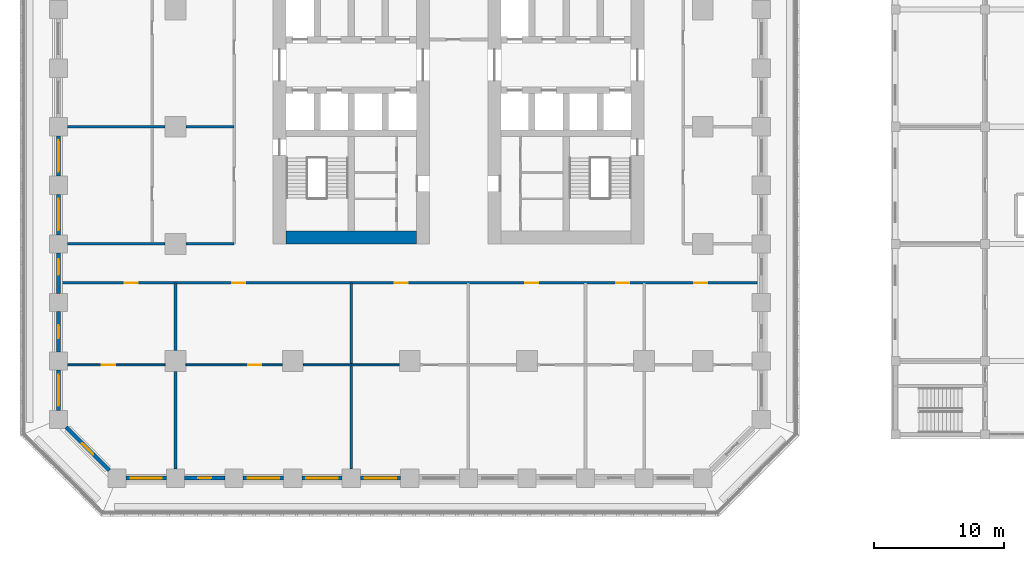
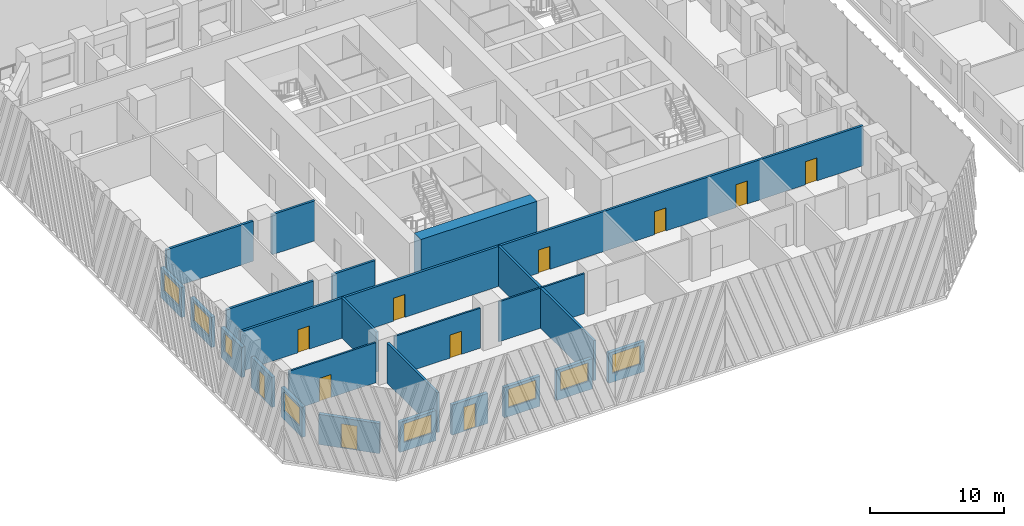
# One storey, part 11 of 31: 23 walls, 11 doors, 8 windows, 19 openings.
"""IFC4 building model written with IfcOpenShell, lengths in metres."""

from ifc_helpers import new_model, si_unit, direction, frame, frame_2d, origin, place, context, subcontext, project, spatial, rectangle, extrude, material, layer, layer_set, type_object, element, fill, save


model = new_model("IFC4")

# Units and contexts
model_context = context("Model", 3, precision=1e-05, world=origin(), true_north=direction((0.0, 1.0)))
body_context = subcontext(model_context, "Body", "Model", "MODEL_VIEW")
ifc_project = project(units=[si_unit("LENGTHUNIT", "METRE"), si_unit("AREAUNIT", "SQUARE_METRE"), si_unit("VOLUMEUNIT", "CUBIC_METRE"), si_unit("PLANEANGLEUNIT", "RADIAN"), si_unit("MASSUNIT", "GRAM", prefix="KILO")], contexts=[model_context])

# Site, building, storey
site_placement = place(None, origin())
site = spatial("IfcSite", under=ifc_project, at=site_placement, CompositionType="ELEMENT")
building_placement = place(site_placement, origin())
building = spatial("IfcBuilding", under=site, at=building_placement, Name="Corbel Stack Research Tower", CompositionType="ELEMENT")
storey_placement = place(building_placement, frame((0.0, 0.0, 15.39990234375)))
storey = spatial("IfcBuildingStorey", under=building, at=storey_placement, Name="L03", CompositionType="ELEMENT", Elevation=15.39990234375)

# Walls
ifc_material_1 = material(Name="Concrete C70/85", Category="concrete")
ifc_layer_1 = layer(ifc_material_1, 1.0)
ifc_layer_set_1 = layer_set([ifc_layer_1], Name="Concrete C70/85")
wall_type_1 = type_object("IfcWallType", Name="CW-1000-70", PredefinedType="SHEAR", material=ifc_layer_set_1)
wall_1_placement = place(storey_placement, frame((-9.5, -8.5, 0.0), z_axis=(0.0, 0.0, 1.0), x_axis=(1.0, 0.0, 0.0)))
element("IfcWall", 1, at=wall_1_placement, inside=storey, type_object=wall_type_1, Name="West core wall, south end L03", PredefinedType="SHEAR", context=body_context, shape_type="SweptSolid", body=[
    extrude(rectangle(XDim=10.0, YDim=1.0, at=frame_2d((5.0, 0.0))), origin(), (0.0, 0.0, 1.0), 4.10009765625),
])
ifc_material_2 = material(Name="Fire-rated gypsum board partition on steel studs", Category="steel")
ifc_layer_2 = layer(ifc_material_2, 0.199951171875)
ifc_layer_set_2 = layer_set([ifc_layer_2], Name="Fire-rated gypsum board partition on steel studs")
wall_type_2 = type_object("IfcWallType", Name="Fire-rated partition 200 EI 60", PredefinedType="PARTITIONING", material=ifc_layer_set_2)
wall_2_placement = place(storey_placement, frame((-18.0, -26.300048828125, 0.0), z_axis=(0.0, 0.0, 1.0), x_axis=(0.0, 1.0, 0.0)))
element("IfcWall", 2, at=wall_2_placement, inside=storey, type_object=wall_type_2, Name="Partition L03-002", PredefinedType="PARTITIONING", context=body_context, shape_type="SweptSolid", body=[
    extrude(rectangle(XDim=7.5, YDim=0.199951171875, at=frame_2d((3.75, 0.0))), origin(), (0.0, 0.0, 1.0), 3.650146484375),
])
wall_3_placement = place(storey_placement, frame((-18.0, -17.199951171875, 0.0), z_axis=(0.0, 0.0, 1.0), x_axis=(0.0, 1.0, 0.0)))
element("IfcWall", 3, at=wall_3_placement, inside=storey, type_object=wall_type_2, Name="Partition L03-003", PredefinedType="PARTITIONING", context=body_context, shape_type="SweptSolid", body=[
    extrude(rectangle(XDim=5.199951171875, YDim=0.199951171875, at=frame_2d((2.60009765625, 0.0))), origin(), (0.0, 0.0, 1.0), 3.650146484375),
])
wall_4_placement = place(storey_placement, frame((-4.5, -26.300048828125, 0.0), z_axis=(0.0, 0.0, 1.0), x_axis=(0.0, 1.0, 0.0)))
element("IfcWall", 4, at=wall_4_placement, inside=storey, type_object=wall_type_2, Name="Partition L03-006", PredefinedType="PARTITIONING", context=body_context, shape_type="SweptSolid", body=[
    extrude(rectangle(XDim=14.300048828125, YDim=0.199951171875, at=frame_2d((7.14990234375, 0.0))), origin(), (0.0, 0.0, 1.0), 3.650146484375),
])

# Wall, openings, doors
wall_5_placement = place(storey_placement, frame((26.85009765625, -12.0, 0.0), z_axis=(0.0, 0.0, 1.0), x_axis=(-1.0, 0.0, 0.0)))
wall_5 = element("IfcWall", 5, at=wall_5_placement, inside=storey, type_object=wall_type_2, Name="Partition L03-023", PredefinedType="PARTITIONING", context=body_context, shape_type="SweptSolid", body=[
    extrude(rectangle(XDim=53.7001953125, YDim=0.199951171875, at=frame_2d((26.85009765625, 0.0))), origin(), (0.0, 0.0, 1.0), 3.650146484375),
])
opening_1_placement = place(wall_5_placement, frame((47.75, 0.0, 0.0)))
opening_1 = element("IfcOpeningElement", 6, at=opening_1_placement, cuts=wall_5, Name="Opening B1V0-012", PredefinedType="OPENING", context=body_context, shape_type="SweptSolid", body=[
    extrude(rectangle(XDim=1.0, YDim=2.10009765625, at=frame_2d((0.5, 1.050048828125))), frame((0.0, 0.10986328125, 0.0), z_axis=(0.0, -1.0, 0.0), x_axis=(1.0, 0.0, 0.0)), (0.0, 0.0, 1.0), 0.219970703125),
])
opening_2_placement = place(wall_5_placement, frame((39.5, 0.0, 0.0)))
opening_2 = element("IfcOpeningElement", 7, at=opening_2_placement, cuts=wall_5, Name="Opening B1V0-013", PredefinedType="OPENING", context=body_context, shape_type="SweptSolid", body=[
    extrude(rectangle(XDim=1.0, YDim=2.10009765625, at=frame_2d((0.5, 1.050048828125))), frame((0.0, 0.10986328125, 0.0), z_axis=(0.0, -1.0, 0.0), x_axis=(1.0, 0.0, 0.0)), (0.0, 0.0, 1.0), 0.219970703125),
])
opening_3_placement = place(wall_5_placement, frame((27.0, 0.0, 0.0)))
opening_3 = element("IfcOpeningElement", 8, at=opening_3_placement, cuts=wall_5, Name="Opening B1V0-014", PredefinedType="OPENING", context=body_context, shape_type="SweptSolid", body=[
    extrude(rectangle(XDim=1.0, YDim=2.10009765625, at=frame_2d((0.5, 1.050048828125))), frame((0.0, 0.10986328125, 0.0), z_axis=(0.0, -1.0, 0.0), x_axis=(1.0, 0.0, 0.0)), (0.0, 0.0, 1.0), 0.219970703125),
])
opening_4_placement = place(wall_5_placement, frame((17.0, 0.0, 0.0)))
opening_4 = element("IfcOpeningElement", 9, at=opening_4_placement, cuts=wall_5, Name="Opening B1V0-015", PredefinedType="OPENING", context=body_context, shape_type="SweptSolid", body=[
    extrude(rectangle(XDim=1.0, YDim=2.10009765625, at=frame_2d((0.5, 1.050048828125))), frame((0.0, 0.10986328125, 0.0), z_axis=(0.0, -1.0, 0.0), x_axis=(1.0, 0.0, 0.0)), (0.0, 0.0, 1.0), 0.219970703125),
])
opening_5_placement = place(wall_5_placement, frame((10.0, 0.0, 0.0)))
opening_5 = element("IfcOpeningElement", 10, at=opening_5_placement, cuts=wall_5, Name="Opening B1V0-016", PredefinedType="OPENING", context=body_context, shape_type="SweptSolid", body=[
    extrude(rectangle(XDim=1.0, YDim=2.10009765625, at=frame_2d((0.5, 1.050048828125))), frame((0.0, 0.10986328125, 0.0), z_axis=(0.0, -1.0, 0.0), x_axis=(1.0, 0.0, 0.0)), (0.0, 0.0, 1.0), 0.219970703125),
])
opening_6_placement = place(wall_5_placement, frame((4.0, 0.0, 0.0)))
opening_6 = element("IfcOpeningElement", 11, at=opening_6_placement, cuts=wall_5, Name="Opening B1V0-017", PredefinedType="OPENING", context=body_context, shape_type="SweptSolid", body=[
    extrude(rectangle(XDim=1.0, YDim=2.10009765625, at=frame_2d((0.5, 1.050048828125))), frame((0.0, 0.10986328125, 0.0), z_axis=(0.0, -1.0, 0.0), x_axis=(1.0, 0.0, 0.0)), (0.0, 0.0, 1.0), 0.219970703125),
])
ifc_material_3 = material(Name="Painted steel fire door", Category="steel")
door_type_1 = type_object("IfcDoorType", Name="Fire door FD30S 1000 x 2100", OperationType="NOTDEFINED", PredefinedType="DOOR", material=ifc_material_3)
door_1_placement = place(opening_1_placement, origin())
door_1 = element("IfcDoor", 12, at=door_1_placement, inside=storey, type_object=door_type_1, Name="Door B1V0-012", OperationType="SINGLE_SWING_RIGHT", OverallHeight=2.10009765625, OverallWidth=1.0, PredefinedType="DOOR", context=body_context, shape_type="SweptSolid", body=[
    extrude(rectangle(XDim=1.0, YDim=2.10009765625, at=frame_2d((0.5, 1.050048828125))), frame((0.0, 0.02490234375, 0.0), z_axis=(0.0, -1.0, 0.0), x_axis=(1.0, 0.0, 0.0)), (0.0, 0.0, 1.0), 0.050048828125),
])
fill(opening_1, door_1)
door_2_placement = place(opening_2_placement, origin())
door_2 = element("IfcDoor", 13, at=door_2_placement, inside=storey, type_object=door_type_1, Name="Door B1V0-013", OperationType="SINGLE_SWING_RIGHT", OverallHeight=2.10009765625, OverallWidth=1.0, PredefinedType="DOOR", context=body_context, shape_type="SweptSolid", body=[
    extrude(rectangle(XDim=1.0, YDim=2.10009765625, at=frame_2d((0.5, 1.050048828125))), frame((0.0, 0.02490234375, 0.0), z_axis=(0.0, -1.0, 0.0), x_axis=(1.0, 0.0, 0.0)), (0.0, 0.0, 1.0), 0.050048828125),
])
fill(opening_2, door_2)
door_3_placement = place(opening_3_placement, origin())
door_3 = element("IfcDoor", 14, at=door_3_placement, inside=storey, type_object=door_type_1, Name="Door B1V0-014", OperationType="SINGLE_SWING_RIGHT", OverallHeight=2.10009765625, OverallWidth=1.0, PredefinedType="DOOR", context=body_context, shape_type="SweptSolid", body=[
    extrude(rectangle(XDim=1.0, YDim=2.10009765625, at=frame_2d((0.5, 1.050048828125))), frame((0.0, 0.02490234375, 0.0), z_axis=(0.0, -1.0, 0.0), x_axis=(1.0, 0.0, 0.0)), (0.0, 0.0, 1.0), 0.050048828125),
])
fill(opening_3, door_3)
door_4_placement = place(opening_4_placement, origin())
door_4 = element("IfcDoor", 15, at=door_4_placement, inside=storey, type_object=door_type_1, Name="Door B1V0-015", OperationType="SINGLE_SWING_LEFT", OverallHeight=2.10009765625, OverallWidth=1.0, PredefinedType="DOOR", context=body_context, shape_type="SweptSolid", body=[
    extrude(rectangle(XDim=1.0, YDim=2.10009765625, at=frame_2d((0.5, 1.050048828125))), frame((0.0, 0.02490234375, 0.0), z_axis=(0.0, -1.0, 0.0), x_axis=(1.0, 0.0, 0.0)), (0.0, 0.0, 1.0), 0.050048828125),
])
fill(opening_4, door_4)
door_5_placement = place(opening_5_placement, origin())
door_5 = element("IfcDoor", 16, at=door_5_placement, inside=storey, type_object=door_type_1, Name="Door B1V0-016", OperationType="SINGLE_SWING_LEFT", OverallHeight=2.10009765625, OverallWidth=1.0, PredefinedType="DOOR", context=body_context, shape_type="SweptSolid", body=[
    extrude(rectangle(XDim=1.0, YDim=2.10009765625, at=frame_2d((0.5, 1.050048828125))), frame((0.0, 0.02490234375, 0.0), z_axis=(0.0, -1.0, 0.0), x_axis=(1.0, 0.0, 0.0)), (0.0, 0.0, 1.0), 0.050048828125),
])
fill(opening_5, door_5)
door_6_placement = place(opening_6_placement, origin())
door_6 = element("IfcDoor", 17, at=door_6_placement, inside=storey, type_object=door_type_1, Name="Door B1V0-017", OperationType="SINGLE_SWING_LEFT", OverallHeight=2.10009765625, OverallWidth=1.0, PredefinedType="DOOR", context=body_context, shape_type="SweptSolid", body=[
    extrude(rectangle(XDim=1.0, YDim=2.10009765625, at=frame_2d((0.5, 1.050048828125))), frame((0.0, 0.02490234375, 0.0), z_axis=(0.0, -1.0, 0.0), x_axis=(1.0, 0.0, 0.0)), (0.0, 0.0, 1.0), 0.050048828125),
])
fill(opening_6, door_6)

# Walls
wall_6_placement = place(storey_placement, frame((-26.300048828125, -9.0, 0.0), z_axis=(0.0, 0.0, 1.0), x_axis=(1.0, 0.0, 0.0)))
element("IfcWall", 18, at=wall_6_placement, inside=storey, type_object=wall_type_2, Name="Partition L03-024", PredefinedType="PARTITIONING", context=body_context, shape_type="SweptSolid", body=[
    extrude(rectangle(XDim=7.5, YDim=0.199951171875, at=frame_2d((3.75, 0.0))), origin(), (0.0, 0.0, 1.0), 3.650146484375),
])
wall_7_placement = place(storey_placement, frame((-17.199951171875, -9.0, 0.0), z_axis=(0.0, 0.0, 1.0), x_axis=(1.0, 0.0, 0.0)))
element("IfcWall", 19, at=wall_7_placement, inside=storey, type_object=wall_type_2, Name="Partition L03-025", PredefinedType="PARTITIONING", context=body_context, shape_type="SweptSolid", body=[
    extrude(rectangle(XDim=3.699951171875, YDim=0.199951171875, at=frame_2d((1.85009765625, 0.0))), origin(), (0.0, 0.0, 1.0), 3.650146484375),
])
wall_8_placement = place(storey_placement, frame((-26.300048828125, 0.0, 0.0), z_axis=(0.0, 0.0, 1.0), x_axis=(1.0, 0.0, 0.0)))
element("IfcWall", 20, at=wall_8_placement, inside=storey, type_object=wall_type_2, Name="Partition L03-028", PredefinedType="PARTITIONING", context=body_context, shape_type="SweptSolid", body=[
    extrude(rectangle(XDim=7.5, YDim=0.199951171875, at=frame_2d((3.75, 0.0))), origin(), (0.0, 0.0, 1.0), 3.650146484375),
])
wall_9_placement = place(storey_placement, frame((-17.199951171875, 0.0, 0.0), z_axis=(0.0, 0.0, 1.0), x_axis=(1.0, 0.0, 0.0)))
element("IfcWall", 21, at=wall_9_placement, inside=storey, type_object=wall_type_2, Name="Partition L03-029", PredefinedType="PARTITIONING", context=body_context, shape_type="SweptSolid", body=[
    extrude(rectangle(XDim=3.699951171875, YDim=0.199951171875, at=frame_2d((1.85009765625, 0.0))), origin(), (0.0, 0.0, 1.0), 3.650146484375),
])

# Wall, opening, door
ifc_material_4 = material(Name="Gypsum board partition on steel studs", Category="steel")
ifc_layer_3 = layer(ifc_material_4, 0.14990234375)
ifc_layer_set_3 = layer_set([ifc_layer_3], Name="Gypsum board partition on steel studs")
wall_type_3 = type_object("IfcWallType", Name="Partition 150", PredefinedType="PARTITIONING", material=ifc_layer_set_3)
wall_10_placement = place(storey_placement, frame((-18.800048828125, -18.300048828125, 0.0), z_axis=(0.0, 0.0, 1.0), x_axis=(-1.0, 0.0, 0.0)))
wall_10 = element("IfcWall", 22, at=wall_10_placement, inside=storey, type_object=wall_type_3, Name="Partition L03-016", PredefinedType="PARTITIONING", context=body_context, shape_type="SweptSolid", body=[
    extrude(rectangle(XDim=7.5, YDim=0.14990234375, at=frame_2d((3.75, 0.0))), origin(), (0.0, 0.0, 1.0), 3.650146484375),
])
opening_7_placement = place(wall_10_placement, frame((3.85009765625, 0.0, 0.0)))
opening_7 = element("IfcOpeningElement", 23, at=opening_7_placement, cuts=wall_10, Name="Opening B1V0-004", PredefinedType="OPENING", context=body_context, shape_type="SweptSolid", body=[
    extrude(rectangle(XDim=1.0, YDim=2.10009765625, at=frame_2d((0.5, 1.050048828125))), frame((0.0, 0.0849609375, 0.0), z_axis=(0.0, -1.0, 0.0), x_axis=(1.0, 0.0, 0.0)), (0.0, 0.0, 1.0), 0.169921875),
])
ifc_material_5 = material(Name="Painted timber door", Category="wood")
door_type_2 = type_object("IfcDoorType", Name="Single door 1000 x 2100", OperationType="NOTDEFINED", PredefinedType="DOOR", material=ifc_material_5)
door_7_placement = place(opening_7_placement, origin())
door_7 = element("IfcDoor", 24, at=door_7_placement, inside=storey, type_object=door_type_2, Name="Door B1V0-004", OperationType="SINGLE_SWING_RIGHT", OverallHeight=2.10009765625, OverallWidth=1.0, PredefinedType="DOOR", context=body_context, shape_type="SweptSolid", body=[
    extrude(rectangle(XDim=1.0, YDim=2.10009765625, at=frame_2d((0.5, 1.050048828125))), frame((0.0, 0.02490234375, 0.0), z_axis=(0.0, -1.0, 0.0), x_axis=(1.0, 0.0, 0.0)), (0.0, 0.0, 1.0), 0.050048828125),
])
fill(opening_7, door_7)

wall_11_placement = place(storey_placement, frame((-9.800048828125, -18.300048828125, 0.0), z_axis=(0.0, 0.0, 1.0), x_axis=(-1.0, 0.0, 0.0)))
wall_11 = element("IfcWall", 25, at=wall_11_placement, inside=storey, type_object=wall_type_3, Name="Partition L03-017", PredefinedType="PARTITIONING", context=body_context, shape_type="SweptSolid", body=[
    extrude(rectangle(XDim=7.39990234375, YDim=0.14990234375, at=frame_2d((3.699951171875, 0.0))), origin(), (0.0, 0.0, 1.0), 3.650146484375),
])
opening_8_placement = place(wall_11_placement, frame((1.60009765625, 0.0, 0.0)))
opening_8 = element("IfcOpeningElement", 26, at=opening_8_placement, cuts=wall_11, Name="Opening B1V0-005", PredefinedType="OPENING", context=body_context, shape_type="SweptSolid", body=[
    extrude(rectangle(XDim=1.0, YDim=2.10009765625, at=frame_2d((0.5, 1.050048828125))), frame((0.0, 0.0849609375, 0.0), z_axis=(0.0, -1.0, 0.0), x_axis=(1.0, 0.0, 0.0)), (0.0, 0.0, 1.0), 0.169921875),
])
door_8_placement = place(opening_8_placement, origin())
door_8 = element("IfcDoor", 27, at=door_8_placement, inside=storey, type_object=door_type_2, Name="Door B1V0-005", OperationType="SINGLE_SWING_LEFT", OverallHeight=2.10009765625, OverallWidth=1.0, PredefinedType="DOOR", context=body_context, shape_type="SweptSolid", body=[
    extrude(rectangle(XDim=1.0, YDim=2.10009765625, at=frame_2d((0.5, 1.050048828125))), frame((0.0, 0.02490234375, 0.0), z_axis=(0.0, -1.0, 0.0), x_axis=(1.0, 0.0, 0.0)), (0.0, 0.0, 1.0), 0.050048828125),
])
fill(opening_8, door_8)

# Wall
wall_12_placement = place(storey_placement, frame((-8.199951171875, -18.300048828125, 0.0), z_axis=(0.0, 0.0, 1.0), x_axis=(1.0, 0.0, 0.0)))
element("IfcWall", 28, at=wall_12_placement, inside=storey, type_object=wall_type_3, Name="Partition L03-018", PredefinedType="PARTITIONING", context=body_context, shape_type="SweptSolid", body=[
    extrude(rectangle(XDim=7.39990234375, YDim=0.14990234375, at=frame_2d((3.699951171875, 0.0))), origin(), (0.0, 0.0, 1.0), 3.650146484375),
])

# Wall, opening, window
ifc_material_6 = material(Name="Concrete C45/55", Category="concrete")
ifc_layer_4 = layer(ifc_material_6, 0.300048828125)
ifc_layer_set_4 = layer_set([ifc_layer_4], Name="Concrete C45/55")
wall_type_4 = type_object("IfcWallType", Name="Terracotta-faced concrete wall 300", PredefinedType="SOLIDWALL", material=ifc_layer_set_4)
wall_13_placement = place(storey_placement, frame((-18.699951171875, -27.0, 0.0), z_axis=(0.0, 0.0, 1.0), x_axis=(-1.0, 0.0, 0.0)))
wall_13 = element("IfcWall", 29, at=wall_13_placement, inside=storey, type_object=wall_type_4, Name="Facade wall L03 S01", PredefinedType="SOLIDWALL", context=body_context, shape_type="SweptSolid", body=[
    extrude(rectangle(XDim=3.10009765625, YDim=0.300048828125, at=frame_2d((1.550048828125, 0.0))), origin(), (0.0, 0.0, 1.0), 2.75),
])
opening_9_placement = place(wall_13_placement, frame((0.35009765625, 0.0, 0.800048828125)))
opening_9 = element("IfcOpeningElement", 30, at=opening_9_placement, cuts=wall_13, Name="Opening W1", PredefinedType="OPENING", context=body_context, shape_type="SweptSolid", body=[
    extrude(rectangle(XDim=2.39990234375, YDim=1.699951171875, at=frame_2d((1.199951171875, 0.85009765625))), frame((0.0, 0.159912109375, 0.0), z_axis=(0.0, -1.0, 0.0), x_axis=(1.0, 0.0, 0.0)), (0.0, 0.0, 1.0), 0.320068359375),
])
ifc_material_7 = material(Name="Aluminium frame, clear double glazing", Category="aluminium")
window_type_1 = type_object("IfcWindowType", Name="Window W1 2400 x 1700", PartitioningType="SINGLE_PANEL", PredefinedType="WINDOW", material=ifc_material_7)
window_1_placement = place(opening_9_placement, origin())
window_1 = element("IfcWindow", 31, at=window_1_placement, inside=storey, type_object=window_type_1, Name="Window W1 L03 S01", OverallHeight=1.699951171875, OverallWidth=2.39990234375, PartitioningType="SINGLE_PANEL", PredefinedType="WINDOW", context=body_context, shape_type="SweptSolid", body=[
    extrude(rectangle(XDim=2.39990234375, YDim=1.699951171875, at=frame_2d((1.199951171875, 0.85009765625))), frame((0.0, 0.030029296875, 0.0), z_axis=(0.0, -1.0, 0.0), x_axis=(1.0, 0.0, 0.0)), (0.0, 0.0, 1.0), 0.06005859375),
])
fill(opening_9, window_1)

# Wall, opening, door
wall_14_placement = place(storey_placement, frame((-14.199951171875, -27.0, 0.0), z_axis=(0.0, 0.0, 1.0), x_axis=(-1.0, 0.0, 0.0)))
wall_14 = element("IfcWall", 32, at=wall_14_placement, inside=storey, type_object=wall_type_4, Name="Facade wall L03 S02", PredefinedType="SOLIDWALL", context=body_context, shape_type="SweptSolid", body=[
    extrude(rectangle(XDim=3.10009765625, YDim=0.300048828125, at=frame_2d((1.550048828125, 0.0))), origin(), (0.0, 0.0, 1.0), 2.75),
])
opening_10_placement = place(wall_14_placement, frame((1.050048828125, 0.0, 0.0)))
opening_10 = element("IfcOpeningElement", 33, at=opening_10_placement, cuts=wall_14, Name="Opening L03-B01", PredefinedType="OPENING", context=body_context, shape_type="SweptSolid", body=[
    extrude(rectangle(XDim=1.0, YDim=2.199951171875, at=frame_2d((0.5, 1.10009765625))), frame((0.0, 0.159912109375, 0.0), z_axis=(0.0, -1.0, 0.0), x_axis=(1.0, 0.0, 0.0)), (0.0, 0.0, 1.0), 0.320068359375),
])
ifc_material_8 = material(Name="Aluminium frame, clear double glazing", Category="aluminium")
door_type_3 = type_object("IfcDoorType", Name="Balcony door BD1 1000 x 2200", OperationType="NOTDEFINED", PredefinedType="DOOR", material=ifc_material_8)
door_9_placement = place(opening_10_placement, origin())
door_9 = element("IfcDoor", 34, at=door_9_placement, inside=storey, type_object=door_type_3, Name="Balcony door L03-B01", OperationType="SINGLE_SWING_LEFT", OverallHeight=2.199951171875, OverallWidth=1.0, PredefinedType="DOOR", context=body_context, shape_type="SweptSolid", body=[
    extrude(rectangle(XDim=1.0, YDim=2.199951171875, at=frame_2d((0.5, 1.10009765625))), frame((0.0, 0.02490234375, 0.0), z_axis=(0.0, -1.0, 0.0), x_axis=(1.0, 0.0, 0.0)), (0.0, 0.0, 1.0), 0.050048828125),
])
fill(opening_10, door_9)

# Wall, opening, window
wall_15_placement = place(storey_placement, frame((-9.699951171875, -27.0, 0.0), z_axis=(0.0, 0.0, 1.0), x_axis=(-1.0, 0.0, 0.0)))
wall_15 = element("IfcWall", 35, at=wall_15_placement, inside=storey, type_object=wall_type_4, Name="Facade wall L03 S03", PredefinedType="SOLIDWALL", context=body_context, shape_type="SweptSolid", body=[
    extrude(rectangle(XDim=3.10009765625, YDim=0.300048828125, at=frame_2d((1.550048828125, 0.0))), origin(), (0.0, 0.0, 1.0), 2.75),
])
opening_11_placement = place(wall_15_placement, frame((0.35009765625, 0.0, 0.800048828125)))
opening_11 = element("IfcOpeningElement", 36, at=opening_11_placement, cuts=wall_15, Name="Opening W1", PredefinedType="OPENING", context=body_context, shape_type="SweptSolid", body=[
    extrude(rectangle(XDim=2.39990234375, YDim=1.699951171875, at=frame_2d((1.199951171875, 0.85009765625))), frame((0.0, 0.159912109375, 0.0), z_axis=(0.0, -1.0, 0.0), x_axis=(1.0, 0.0, 0.0)), (0.0, 0.0, 1.0), 0.320068359375),
])
window_2_placement = place(opening_11_placement, origin())
window_2 = element("IfcWindow", 37, at=window_2_placement, inside=storey, type_object=window_type_1, Name="Window W1 L03 S03", OverallHeight=1.699951171875, OverallWidth=2.39990234375, PartitioningType="SINGLE_PANEL", PredefinedType="WINDOW", context=body_context, shape_type="SweptSolid", body=[
    extrude(rectangle(XDim=2.39990234375, YDim=1.699951171875, at=frame_2d((1.199951171875, 0.85009765625))), frame((0.0, 0.030029296875, 0.0), z_axis=(0.0, -1.0, 0.0), x_axis=(1.0, 0.0, 0.0)), (0.0, 0.0, 1.0), 0.06005859375),
])
fill(opening_11, window_2)

wall_16_placement = place(storey_placement, frame((-5.199951171875, -27.0, 0.0), z_axis=(0.0, 0.0, 1.0), x_axis=(-1.0, 0.0, 0.0)))
wall_16 = element("IfcWall", 38, at=wall_16_placement, inside=storey, type_object=wall_type_4, Name="Facade wall L03 S04", PredefinedType="SOLIDWALL", context=body_context, shape_type="SweptSolid", body=[
    extrude(rectangle(XDim=3.10009765625, YDim=0.300048828125, at=frame_2d((1.550048828125, 0.0))), origin(), (0.0, 0.0, 1.0), 2.75),
])
opening_12_placement = place(wall_16_placement, frame((0.35009765625, 0.0, 0.800048828125)))
opening_12 = element("IfcOpeningElement", 39, at=opening_12_placement, cuts=wall_16, Name="Opening W1", PredefinedType="OPENING", context=body_context, shape_type="SweptSolid", body=[
    extrude(rectangle(XDim=2.39990234375, YDim=1.699951171875, at=frame_2d((1.199951171875, 0.85009765625))), frame((0.0, 0.159912109375, 0.0), z_axis=(0.0, -1.0, 0.0), x_axis=(1.0, 0.0, 0.0)), (0.0, 0.0, 1.0), 0.320068359375),
])
window_3_placement = place(opening_12_placement, origin())
window_3 = element("IfcWindow", 40, at=window_3_placement, inside=storey, type_object=window_type_1, Name="Window W1 L03 S04", OverallHeight=1.699951171875, OverallWidth=2.39990234375, PartitioningType="SINGLE_PANEL", PredefinedType="WINDOW", context=body_context, shape_type="SweptSolid", body=[
    extrude(rectangle(XDim=2.39990234375, YDim=1.699951171875, at=frame_2d((1.199951171875, 0.85009765625))), frame((0.0, 0.030029296875, 0.0), z_axis=(0.0, -1.0, 0.0), x_axis=(1.0, 0.0, 0.0)), (0.0, 0.0, 1.0), 0.06005859375),
])
fill(opening_12, window_3)

wall_17_placement = place(storey_placement, frame((-0.699951171875, -27.0, 0.0), z_axis=(0.0, 0.0, 1.0), x_axis=(-1.0, 0.0, 0.0)))
wall_17 = element("IfcWall", 41, at=wall_17_placement, inside=storey, type_object=wall_type_4, Name="Facade wall L03 S05", PredefinedType="SOLIDWALL", context=body_context, shape_type="SweptSolid", body=[
    extrude(rectangle(XDim=3.10009765625, YDim=0.300048828125, at=frame_2d((1.550048828125, 0.0))), origin(), (0.0, 0.0, 1.0), 2.75),
])
opening_13_placement = place(wall_17_placement, frame((0.35009765625, 0.0, 0.800048828125)))
opening_13 = element("IfcOpeningElement", 42, at=opening_13_placement, cuts=wall_17, Name="Opening W1", PredefinedType="OPENING", context=body_context, shape_type="SweptSolid", body=[
    extrude(rectangle(XDim=2.39990234375, YDim=1.699951171875, at=frame_2d((1.199951171875, 0.85009765625))), frame((0.0, 0.159912109375, 0.0), z_axis=(0.0, -1.0, 0.0), x_axis=(1.0, 0.0, 0.0)), (0.0, 0.0, 1.0), 0.320068359375),
])
window_4_placement = place(opening_13_placement, origin())
window_4 = element("IfcWindow", 43, at=window_4_placement, inside=storey, type_object=window_type_1, Name="Window W1 L03 S05", OverallHeight=1.699951171875, OverallWidth=2.39990234375, PartitioningType="SINGLE_PANEL", PredefinedType="WINDOW", context=body_context, shape_type="SweptSolid", body=[
    extrude(rectangle(XDim=2.39990234375, YDim=1.699951171875, at=frame_2d((1.199951171875, 0.85009765625))), frame((0.0, 0.030029296875, 0.0), z_axis=(0.0, -1.0, 0.0), x_axis=(1.0, 0.0, 0.0)), (0.0, 0.0, 1.0), 0.06005859375),
])
fill(opening_13, window_4)

wall_18_placement = place(storey_placement, frame((-27.0, -3.800048828125, 0.0), z_axis=(0.0, 0.0, 1.0), x_axis=(0.0, 1.0, 0.0)))
wall_18 = element("IfcWall", 44, at=wall_18_placement, inside=storey, type_object=wall_type_4, Name="Facade wall L03 W06", PredefinedType="SOLIDWALL", context=body_context, shape_type="SweptSolid", body=[
    extrude(rectangle(XDim=3.10009765625, YDim=0.300048828125, at=frame_2d((1.550048828125, 0.0))), origin(), (0.0, 0.0, 1.0), 2.75),
])
opening_14_placement = place(wall_18_placement, frame((0.35009765625, 0.0, 0.800048828125)))
opening_14 = element("IfcOpeningElement", 45, at=opening_14_placement, cuts=wall_18, Name="Opening W1", PredefinedType="OPENING", context=body_context, shape_type="SweptSolid", body=[
    extrude(rectangle(XDim=2.39990234375, YDim=1.699951171875, at=frame_2d((1.199951171875, 0.85009765625))), frame((0.0, 0.159912109375, 0.0), z_axis=(0.0, -1.0, 0.0), x_axis=(1.0, 0.0, 0.0)), (0.0, 0.0, 1.0), 0.320068359375),
])
window_5_placement = place(opening_14_placement, origin())
window_5 = element("IfcWindow", 46, at=window_5_placement, inside=storey, type_object=window_type_1, Name="Window W1 L03 W06", OverallHeight=1.699951171875, OverallWidth=2.39990234375, PartitioningType="SINGLE_PANEL", PredefinedType="WINDOW", context=body_context, shape_type="SweptSolid", body=[
    extrude(rectangle(XDim=2.39990234375, YDim=1.699951171875, at=frame_2d((1.199951171875, 0.85009765625))), frame((0.0, 0.030029296875, 0.0), z_axis=(0.0, -1.0, 0.0), x_axis=(1.0, 0.0, 0.0)), (0.0, 0.0, 1.0), 0.06005859375),
])
fill(opening_14, window_5)

wall_19_placement = place(storey_placement, frame((-27.0, -8.300048828125, 0.0), z_axis=(0.0, 0.0, 1.0), x_axis=(0.0, 1.0, 0.0)))
wall_19 = element("IfcWall", 47, at=wall_19_placement, inside=storey, type_object=wall_type_4, Name="Facade wall L03 W07", PredefinedType="SOLIDWALL", context=body_context, shape_type="SweptSolid", body=[
    extrude(rectangle(XDim=3.10009765625, YDim=0.300048828125, at=frame_2d((1.550048828125, 0.0))), origin(), (0.0, 0.0, 1.0), 2.75),
])
opening_15_placement = place(wall_19_placement, frame((0.35009765625, 0.0, 0.800048828125)))
opening_15 = element("IfcOpeningElement", 48, at=opening_15_placement, cuts=wall_19, Name="Opening W1", PredefinedType="OPENING", context=body_context, shape_type="SweptSolid", body=[
    extrude(rectangle(XDim=2.39990234375, YDim=1.699951171875, at=frame_2d((1.199951171875, 0.85009765625))), frame((0.0, 0.159912109375, 0.0), z_axis=(0.0, -1.0, 0.0), x_axis=(1.0, 0.0, 0.0)), (0.0, 0.0, 1.0), 0.320068359375),
])
window_6_placement = place(opening_15_placement, origin())
window_6 = element("IfcWindow", 49, at=window_6_placement, inside=storey, type_object=window_type_1, Name="Window W1 L03 W07", OverallHeight=1.699951171875, OverallWidth=2.39990234375, PartitioningType="SINGLE_PANEL", PredefinedType="WINDOW", context=body_context, shape_type="SweptSolid", body=[
    extrude(rectangle(XDim=2.39990234375, YDim=1.699951171875, at=frame_2d((1.199951171875, 0.85009765625))), frame((0.0, 0.030029296875, 0.0), z_axis=(0.0, -1.0, 0.0), x_axis=(1.0, 0.0, 0.0)), (0.0, 0.0, 1.0), 0.06005859375),
])
fill(opening_15, window_6)

wall_20_placement = place(storey_placement, frame((-27.0, -12.800048828125, 0.0), z_axis=(0.0, 0.0, 1.0), x_axis=(0.0, 1.0, 0.0)))
wall_20 = element("IfcWall", 50, at=wall_20_placement, inside=storey, type_object=wall_type_4, Name="Facade wall L03 W08", PredefinedType="SOLIDWALL", context=body_context, shape_type="SweptSolid", body=[
    extrude(rectangle(XDim=3.10009765625, YDim=0.300048828125, at=frame_2d((1.550048828125, 0.0))), origin(), (0.0, 0.0, 1.0), 2.75),
])
opening_16_placement = place(wall_20_placement, frame((1.425048828125, 0.0, 0.800048828125)))
opening_16 = element("IfcOpeningElement", 51, at=opening_16_placement, cuts=wall_20, Name="Opening W2", PredefinedType="OPENING", context=body_context, shape_type="SweptSolid", body=[
    extrude(rectangle(XDim=1.199951171875, YDim=1.699951171875, at=frame_2d((0.60009765625, 0.85009765625))), frame((0.0, 0.159912109375, 0.0), z_axis=(0.0, -1.0, 0.0), x_axis=(1.0, 0.0, 0.0)), (0.0, 0.0, 1.0), 0.320068359375),
])
ifc_material_9 = material(Name="Aluminium frame, clear double glazing", Category="aluminium")
window_type_2 = type_object("IfcWindowType", Name="Window W2 1200 x 1700", PartitioningType="SINGLE_PANEL", PredefinedType="WINDOW", material=ifc_material_9)
window_7_placement = place(opening_16_placement, origin())
window_7 = element("IfcWindow", 52, at=window_7_placement, inside=storey, type_object=window_type_2, Name="Window W2 L03 W08", OverallHeight=1.699951171875, OverallWidth=1.199951171875, PartitioningType="SINGLE_PANEL", PredefinedType="WINDOW", context=body_context, shape_type="SweptSolid", body=[
    extrude(rectangle(XDim=1.199951171875, YDim=1.699951171875, at=frame_2d((0.60009765625, 0.85009765625))), frame((0.0, 0.030029296875, 0.0), z_axis=(0.0, -1.0, 0.0), x_axis=(1.0, 0.0, 0.0)), (0.0, 0.0, 1.0), 0.06005859375),
])
fill(opening_16, window_7)

# Wall, opening, door
wall_21_placement = place(storey_placement, frame((-27.0, -17.300048828125, 0.0), z_axis=(0.0, 0.0, 1.0), x_axis=(0.0, 1.0, 0.0)))
wall_21 = element("IfcWall", 53, at=wall_21_placement, inside=storey, type_object=wall_type_4, Name="Facade wall L03 W09", PredefinedType="SOLIDWALL", context=body_context, shape_type="SweptSolid", body=[
    extrude(rectangle(XDim=3.10009765625, YDim=0.300048828125, at=frame_2d((1.550048828125, 0.0))), origin(), (0.0, 0.0, 1.0), 2.75),
])
opening_17_placement = place(wall_21_placement, frame((1.050048828125, 0.0, 0.0)))
opening_17 = element("IfcOpeningElement", 54, at=opening_17_placement, cuts=wall_21, Name="Opening L03-B11", PredefinedType="OPENING", context=body_context, shape_type="SweptSolid", body=[
    extrude(rectangle(XDim=1.0, YDim=2.199951171875, at=frame_2d((0.5, 1.10009765625))), frame((0.0, 0.159912109375, 0.0), z_axis=(0.0, -1.0, 0.0), x_axis=(1.0, 0.0, 0.0)), (0.0, 0.0, 1.0), 0.320068359375),
])
door_10_placement = place(opening_17_placement, origin())
door_10 = element("IfcDoor", 55, at=door_10_placement, inside=storey, type_object=door_type_3, Name="Balcony door L03-B11", OperationType="SINGLE_SWING_RIGHT", OverallHeight=2.199951171875, OverallWidth=1.0, PredefinedType="DOOR", context=body_context, shape_type="SweptSolid", body=[
    extrude(rectangle(XDim=1.0, YDim=2.199951171875, at=frame_2d((0.5, 1.10009765625))), frame((0.0, 0.02490234375, 0.0), z_axis=(0.0, -1.0, 0.0), x_axis=(1.0, 0.0, 0.0)), (0.0, 0.0, 1.0), 0.050048828125),
])
fill(opening_17, door_10)

# Wall, opening, window
wall_22_placement = place(storey_placement, frame((-27.0, -21.800048828125, 0.0), z_axis=(0.0, 0.0, 1.0), x_axis=(0.0, 1.0, 0.0)))
wall_22 = element("IfcWall", 56, at=wall_22_placement, inside=storey, type_object=wall_type_4, Name="Facade wall L03 W10", PredefinedType="SOLIDWALL", context=body_context, shape_type="SweptSolid", body=[
    extrude(rectangle(XDim=3.10009765625, YDim=0.300048828125, at=frame_2d((1.550048828125, 0.0))), origin(), (0.0, 0.0, 1.0), 2.75),
])
opening_18_placement = place(wall_22_placement, frame((0.35009765625, 0.0, 0.800048828125)))
opening_18 = element("IfcOpeningElement", 57, at=opening_18_placement, cuts=wall_22, Name="Opening W1", PredefinedType="OPENING", context=body_context, shape_type="SweptSolid", body=[
    extrude(rectangle(XDim=2.39990234375, YDim=1.699951171875, at=frame_2d((1.199951171875, 0.85009765625))), frame((0.0, 0.159912109375, 0.0), z_axis=(0.0, -1.0, 0.0), x_axis=(1.0, 0.0, 0.0)), (0.0, 0.0, 1.0), 0.320068359375),
])
window_8_placement = place(opening_18_placement, origin())
window_8 = element("IfcWindow", 58, at=window_8_placement, inside=storey, type_object=window_type_1, Name="Window W1 L03 W10", OverallHeight=1.699951171875, OverallWidth=2.39990234375, PartitioningType="SINGLE_PANEL", PredefinedType="WINDOW", context=body_context, shape_type="SweptSolid", body=[
    extrude(rectangle(XDim=2.39990234375, YDim=1.699951171875, at=frame_2d((1.199951171875, 0.85009765625))), frame((0.0, 0.030029296875, 0.0), z_axis=(0.0, -1.0, 0.0), x_axis=(1.0, 0.0, 0.0)), (0.0, 0.0, 1.0), 0.06005859375),
])
fill(opening_18, window_8)

# Wall, opening, door
wall_23_placement = place(storey_placement, frame((-23.093994140625, -26.406005859375, 0.0), z_axis=(0.0, 0.0, 1.0), x_axis=(-0.707106781187, 0.707106781187, 0.0)))
wall_23 = element("IfcWall", 59, at=wall_23_placement, inside=storey, type_object=wall_type_4, Name="Facade wall L03 SW01", PredefinedType="SOLIDWALL", context=body_context, shape_type="SweptSolid", body=[
    extrude(rectangle(XDim=4.683837890625, YDim=0.300048828125, at=frame_2d((2.341796875, 0.0))), origin(), (0.0, 0.0, 1.0), 2.75),
])
opening_19_placement = place(wall_23_placement, frame((1.741943359375, 0.0, 0.0)))
opening_19 = element("IfcOpeningElement", 60, at=opening_19_placement, cuts=wall_23, Name="Opening L03-B12", PredefinedType="OPENING", context=body_context, shape_type="SweptSolid", body=[
    extrude(rectangle(XDim=1.199951171875, YDim=2.199951171875, at=frame_2d((0.60009765625, 1.10009765625))), frame((0.0, 0.159912109375, 0.0), z_axis=(0.0, -1.0, 0.0), x_axis=(1.0, 0.0, 0.0)), (0.0, 0.0, 1.0), 0.320068359375),
])
ifc_material_10 = material(Name="Aluminium frame, clear double glazing", Category="aluminium")
door_type_4 = type_object("IfcDoorType", Name="Balcony door BD2 1200 x 2200", OperationType="NOTDEFINED", PredefinedType="DOOR", material=ifc_material_10)
door_11_placement = place(opening_19_placement, origin())
door_11 = element("IfcDoor", 61, at=door_11_placement, inside=storey, type_object=door_type_4, Name="Balcony door L03-B12", OperationType="SINGLE_SWING_RIGHT", OverallHeight=2.199951171875, OverallWidth=1.199951171875, PredefinedType="DOOR", context=body_context, shape_type="SweptSolid", body=[
    extrude(rectangle(XDim=1.199951171875, YDim=2.199951171875, at=frame_2d((0.60009765625, 1.10009765625))), frame((0.0, 0.02490234375, 0.0), z_axis=(0.0, -1.0, 0.0), x_axis=(1.0, 0.0, 0.0)), (0.0, 0.0, 1.0), 0.050048828125),
])
fill(opening_19, door_11)

save(model, "model.ifc")
